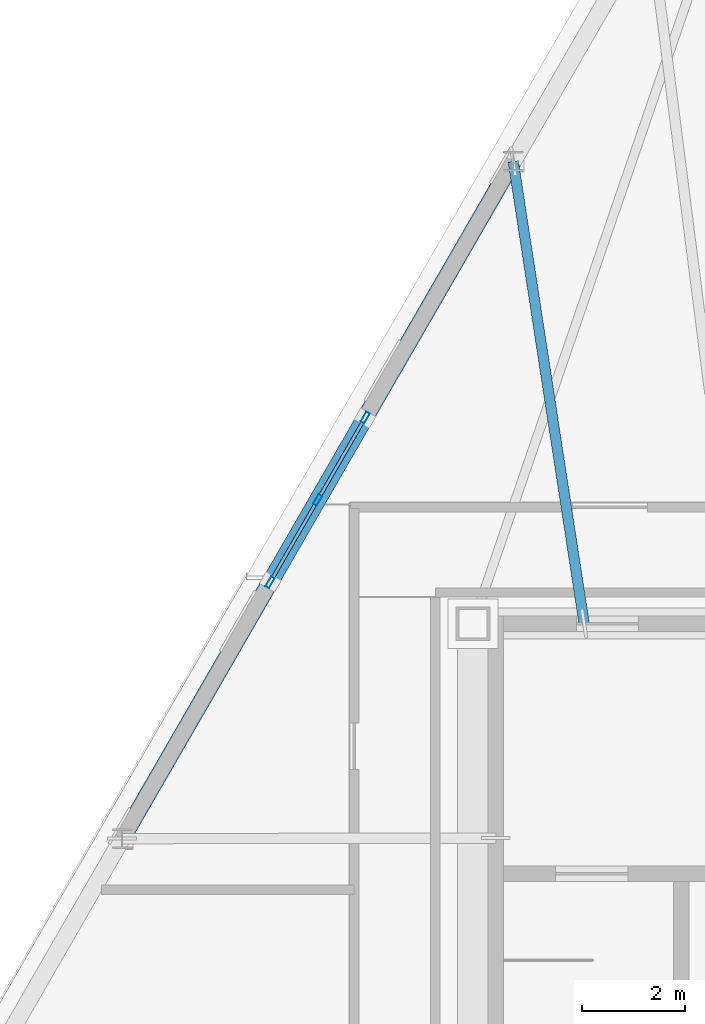
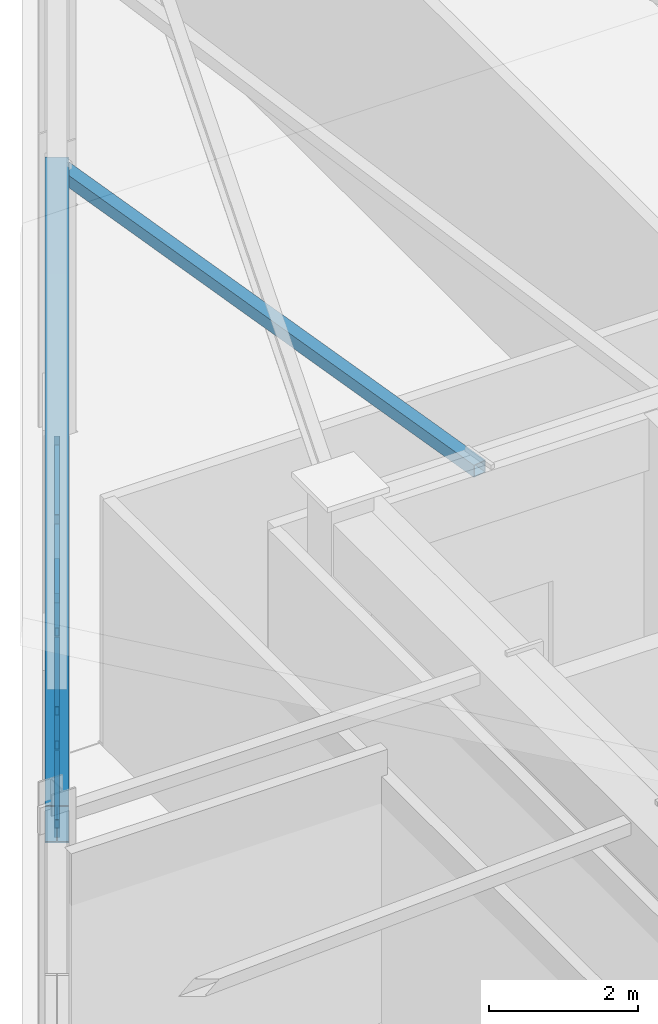
# One storey, part 4 of 11: 10 members, 1 beam, 1 element without a shape of its own.
"""IFC4 building model written with IfcOpenShell, lengths in metres."""

from ifc_helpers import new_model, si_unit, direction, frame, origin, origin_2d, place, context, subcontext, project, spatial, hollow_rectangle, i_section, extrude, material, layer, layer_set, material_profile, profile_set, type_object, element, aggregate, save


model = new_model("IFC4")

# Units and contexts
model_context = context("Model", 3, precision=1e-05, world=origin(), true_north=direction((0.0, 1.0)))
body_context = subcontext(model_context, "Body", "Model", "MODEL_VIEW")
ifc_project = project(units=[si_unit("LENGTHUNIT", "METRE"), si_unit("AREAUNIT", "SQUARE_METRE"), si_unit("VOLUMEUNIT", "CUBIC_METRE"), si_unit("PLANEANGLEUNIT", "RADIAN"), si_unit("MASSUNIT", "GRAM", prefix="KILO")], contexts=[model_context])

# Site, building, storey
site_placement = place(None, origin())
site = spatial("IfcSite", under=ifc_project, at=site_placement, CompositionType="ELEMENT")
building_placement = place(site_placement, origin())
building = spatial("IfcBuilding", under=site, at=building_placement, Name="Oramaril Tower", CompositionType="ELEMENT")
storey_placement = place(building_placement, frame((0.0, 0.0, 318.89990234375)))
storey = spatial("IfcBuildingStorey", under=building, at=storey_placement, Name="L83", CompositionType="ELEMENT", Elevation=318.89990234375)

# Beam
ifc_material_1 = material(Name="Steel ASTM A572 Gr 50", Category="steel")
ifc_material_profile_1 = material_profile(ifc_material_1, i_section(OverallWidth=0.324951171875, OverallDepth=0.612060546875, WebThickness=0.0126953125, FlangeThickness=0.01904296875, at=origin_2d()), Name="W24X104")
ifc_profile_set_1 = profile_set([ifc_material_profile_1], Name="Steel ASTM A572 Gr 50")
beam_type = type_object("IfcBeamType", Name="BT-SP5", PredefinedType="SPANDREL", material=ifc_profile_set_1)
beam_placement = place(storey_placement, frame((30.12744140625, 33.09228515625, 4.154052734375), z_axis=(-0.500005522576, -0.8660222153, 0.0), x_axis=(0.8660222153, -0.500005522576, 0.0)))
element("IfcBeam", 1, at=beam_placement, inside=storey, type_object=beam_type, Name="L83 Perimeter Spandrel 16", PredefinedType="SPANDREL", context=body_context, shape_type="SweptSolid", body=[
    extrude(i_section(OverallWidth=0.324951171875, OverallDepth=0.612060546875, WebThickness=0.0126953125, FlangeThickness=0.01904296875, at=origin_2d()), origin(), (0.0, 0.0, 1.0), 15.130615234375),
])

# Curtain wall, members
ifc_material_2 = material(Name="Anodised Aluminium 6063-T6", Category="aluminium")
ifc_layer = layer(ifc_material_2, 0.219970703125)
ifc_layer_set = layer_set([ifc_layer], Name="CWT-SYS6")
curtain_wall_type = type_object("IfcCurtainWallType", Name="CWT-SYS6", PredefinedType="NOTDEFINED", material=ifc_layer_set)
curtain_wall_placement = place(storey_placement, origin())
curtain_wall = element("IfcCurtainWall", 2, at=curtain_wall_placement, inside=storey, type_object=curtain_wall_type, Name="L83 Unitised Curtain Wall CW-6", PredefinedType="NOTDEFINED")
ifc_material_3 = material(Name="Anodised Aluminium 6063-T6", Category="aluminium")
ifc_material_profile_2 = material_profile(ifc_material_3, hollow_rectangle(XDim=0.080078125, YDim=0.219970703125, WallThickness=0.00390625, at=origin_2d()), Name="CWM220X80")
ifc_profile_set_2 = profile_set([ifc_material_profile_2], Name="Anodised Aluminium 6063-T6")
member_type_1 = type_object("IfcMemberType", Name="MT-CWM1", PredefinedType="MULLION", material=ifc_profile_set_2)
member_1_placement = place(storey_placement, frame((27.264892578125, 28.134033203125, 0.0), z_axis=(0.0, 0.0, 1.0), x_axis=(0.866025463091, -0.499999897278, 0.0)))
member_1 = element("IfcMember", 3, at=member_1_placement, type_object=member_type_1, Name="CW-6 mullion 1", PredefinedType="MULLION", context=body_context, shape_type="SweptSolid", body=[
    extrude(hollow_rectangle(XDim=0.080078125, YDim=0.219970703125, WallThickness=0.00390625, at=origin_2d()), origin(), (0.0, 0.0, 1.0), 3.838134765625),
])
member_2_placement = place(storey_placement, frame((26.3447265625, 26.54052734375, 0.0), z_axis=(0.0, 0.0, 1.0), x_axis=(0.866025463091, -0.499999897278, 0.0)))
member_2 = element("IfcMember", 4, at=member_2_placement, type_object=member_type_1, Name="CW-6 mullion 2", PredefinedType="MULLION", context=body_context, shape_type="SweptSolid", body=[
    extrude(hollow_rectangle(XDim=0.080078125, YDim=0.219970703125, WallThickness=0.00390625, at=origin_2d()), origin(), (0.0, 0.0, 1.0), 3.838134765625),
])
member_3_placement = place(storey_placement, frame((25.4248046875, 24.947021484375, 0.0), z_axis=(0.0, 0.0, 1.0), x_axis=(0.866025463091, -0.499999897278, 0.0)))
member_3 = element("IfcMember", 5, at=member_3_placement, type_object=member_type_1, Name="CW-6 mullion 3", PredefinedType="MULLION", context=body_context, shape_type="SweptSolid", body=[
    extrude(hollow_rectangle(XDim=0.080078125, YDim=0.219970703125, WallThickness=0.00390625, at=origin_2d()), origin(), (0.0, 0.0, 1.0), 3.838134765625),
])
ifc_material_4 = material(Name="Anodised Aluminium 6063-T6", Category="aluminium")
ifc_material_profile_3 = material_profile(ifc_material_4, hollow_rectangle(XDim=0.06494140625, YDim=0.139892578125, WallThickness=0.00390625, at=origin_2d()), Name="CWT140X65")
ifc_profile_set_3 = profile_set([ifc_material_profile_3], Name="Anodised Aluminium 6063-T6")
member_type_2 = type_object("IfcMemberType", Name="MT-CWT2", PredefinedType="USERDEFINED", material=ifc_profile_set_3)
member_4_placement = place(storey_placement, frame((27.209716796875, 28.038818359375, 0.070068359375), z_axis=(-0.499883351328, -0.866092740453, 0.0), x_axis=(0.866092740453, -0.499883351328, 0.0)))
member_4 = element("IfcMember", 6, at=member_4_placement, type_object=member_type_2, Name="CW-6 transom 1.1", ObjectType="TRANSOM", PredefinedType="USERDEFINED", context=body_context, shape_type="SweptSolid", body=[
    extrude(hollow_rectangle(XDim=0.06494140625, YDim=0.139892578125, WallThickness=0.00390625, at=origin_2d()), origin(), (0.0, 0.0, 1.0), 1.6201171875),
])
member_5_placement = place(storey_placement, frame((27.209716796875, 28.038818359375, 1.919189453125), z_axis=(-0.499883351328, -0.866092740453, 0.0), x_axis=(0.866092740453, -0.499883351328, 0.0)))
member_5 = element("IfcMember", 7, at=member_5_placement, type_object=member_type_2, Name="CW-6 transom 1.2", ObjectType="TRANSOM", PredefinedType="USERDEFINED", context=body_context, shape_type="SweptSolid", body=[
    extrude(hollow_rectangle(XDim=0.06494140625, YDim=0.139892578125, WallThickness=0.00390625, at=origin_2d()), origin(), (0.0, 0.0, 1.0), 1.6201171875),
])
member_6_placement = place(storey_placement, frame((27.209716796875, 28.038818359375, 3.76806640625), z_axis=(-0.499883351328, -0.866092740453, 0.0), x_axis=(0.866092740453, -0.499883351328, 0.0)))
member_6 = element("IfcMember", 8, at=member_6_placement, type_object=member_type_2, Name="CW-6 transom 1.3", ObjectType="TRANSOM", PredefinedType="USERDEFINED", context=body_context, shape_type="SweptSolid", body=[
    extrude(hollow_rectangle(XDim=0.06494140625, YDim=0.139892578125, WallThickness=0.00390625, at=origin_2d()), origin(), (0.0, 0.0, 1.0), 1.6201171875),
])
member_7_placement = place(storey_placement, frame((26.289794921875, 26.4453125, 0.070068359375), z_axis=(-0.499996383721, -0.866027491634, 0.0), x_axis=(0.866027491634, -0.499996383721, 0.0)))
member_7 = element("IfcMember", 9, at=member_7_placement, type_object=member_type_2, Name="CW-6 transom 2.1", ObjectType="TRANSOM", PredefinedType="USERDEFINED", context=body_context, shape_type="SweptSolid", body=[
    extrude(hollow_rectangle(XDim=0.06494140625, YDim=0.139892578125, WallThickness=0.00390625, at=origin_2d()), origin(), (0.0, 0.0, 1.0), 1.6201171875),
])
member_8_placement = place(storey_placement, frame((26.289794921875, 26.4453125, 1.919189453125), z_axis=(-0.499996383721, -0.866027491634, 0.0), x_axis=(0.866027491634, -0.499996383721, 0.0)))
member_8 = element("IfcMember", 10, at=member_8_placement, type_object=member_type_2, Name="CW-6 transom 2.2", ObjectType="TRANSOM", PredefinedType="USERDEFINED", context=body_context, shape_type="SweptSolid", body=[
    extrude(hollow_rectangle(XDim=0.06494140625, YDim=0.139892578125, WallThickness=0.00390625, at=origin_2d()), origin(), (0.0, 0.0, 1.0), 1.6201171875),
])
member_9_placement = place(storey_placement, frame((26.289794921875, 26.4453125, 3.76806640625), z_axis=(-0.499996383721, -0.866027491634, 0.0), x_axis=(0.866027491634, -0.499996383721, 0.0)))
member_9 = element("IfcMember", 11, at=member_9_placement, type_object=member_type_2, Name="CW-6 transom 2.3", ObjectType="TRANSOM", PredefinedType="USERDEFINED", context=body_context, shape_type="SweptSolid", body=[
    extrude(hollow_rectangle(XDim=0.06494140625, YDim=0.139892578125, WallThickness=0.00390625, at=origin_2d()), origin(), (0.0, 0.0, 1.0), 1.6201171875),
])
aggregate(curtain_wall, [member_1, member_2, member_3, member_4, member_5, member_6, member_7, member_8, member_9])

# Member
ifc_material_5 = material(Name="Steel ASTM A572 Gr 50", Category="steel")
ifc_material_profile_4 = material_profile(ifc_material_5, hollow_rectangle(XDim=0.199951171875, YDim=0.199951171875, WallThickness=0.010009765625, at=origin_2d()), Name="HSS200X200X10")
ifc_profile_set_4 = profile_set([ifc_material_profile_4], Name="Steel ASTM A572 Gr 50")
member_type_3 = type_object("IfcMemberType", Name="MT-RF1", PredefinedType="RAFTER", material=ifc_profile_set_4)
member_10_placement = place(storey_placement, frame((30.12744140625, 33.09228515625, 4.31005859375), z_axis=(0.151712447019, -0.988424672608, 0.0), x_axis=(0.988424672608, 0.151712447019, 0.0)))
element("IfcMember", 12, at=member_10_placement, inside=storey, type_object=member_type_3, Name="L83 Crown Roof Rafter RF-10", PredefinedType="RAFTER", context=body_context, shape_type="SweptSolid", body=[
    extrude(hollow_rectangle(XDim=0.199951171875, YDim=0.199951171875, WallThickness=0.010009765625, at=origin_2d()), origin(), (0.0, 0.0, 1.0), 9.047119140625),
])

save(model, "model.ifc")
